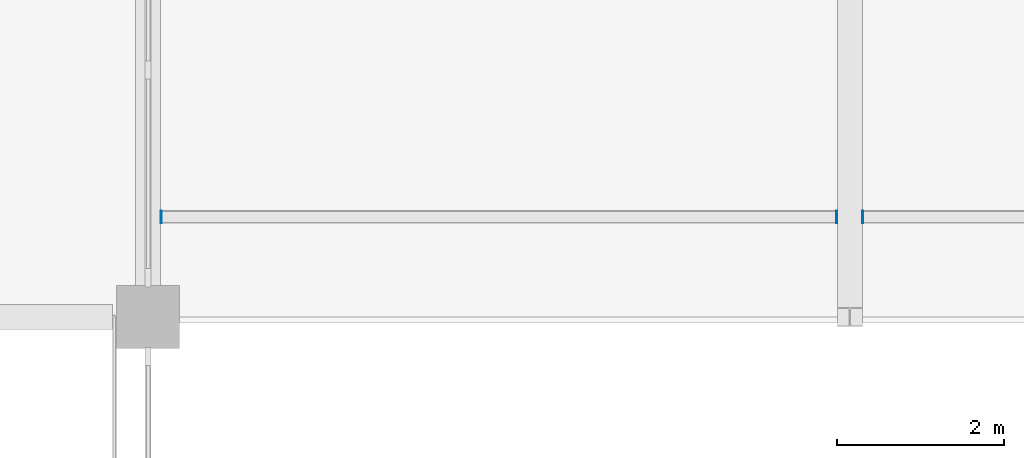
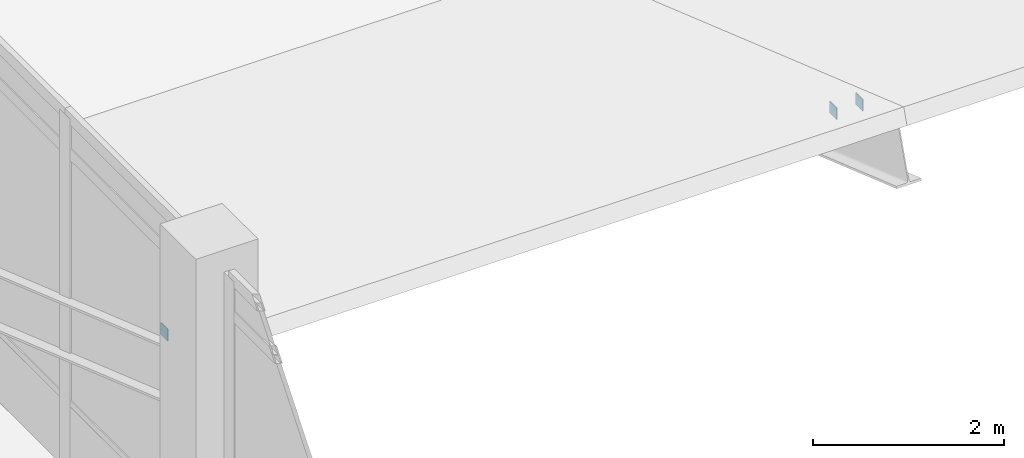
# One storey, part 97 of 110: 3 discrete accessories.
"""IFC4 building model written with IfcOpenShell, lengths in metres."""

from ifc_helpers import new_model, si_unit, direction, frame, origin, origin_2d, place, context, subcontext, project, spatial, rectangle, extrude, material, type_object, element, save


model = new_model("IFC4")

# Units and contexts
model_context = context("Model", 3, precision=1e-05, world=origin(), true_north=direction((0.0, 1.0)))
body_context = subcontext(model_context, "Body", "Model", "MODEL_VIEW")
ifc_project = project(units=[si_unit("LENGTHUNIT", "METRE"), si_unit("AREAUNIT", "SQUARE_METRE"), si_unit("VOLUMEUNIT", "CUBIC_METRE"), si_unit("PLANEANGLEUNIT", "RADIAN"), si_unit("MASSUNIT", "GRAM", prefix="KILO")], contexts=[model_context])

# Site, building, storey
site_placement = place(None, origin())
site = spatial("IfcSite", under=ifc_project, at=site_placement, CompositionType="ELEMENT")
building_placement = place(site_placement, origin())
building = spatial("IfcBuilding", under=site, at=building_placement, Name="Qawsi Khor Wholesale Market", CompositionType="ELEMENT")
storey_placement = place(building_placement, frame((0.0, 0.0, 11.39990234375)))
storey = spatial("IfcBuildingStorey", under=building, at=storey_placement, Name="L02", CompositionType="ELEMENT", Elevation=11.39990234375)

# Discrete accessories
ifc_material = material(Name="Steel S355", Category="steel")
discrete_accessory_type = type_object("IfcDiscreteAccessoryType", Name="Purlin End Cleat Plate 12 S355", PredefinedType="BRACKET", material=ifc_material)
for number, where, z_axis, x_axis, name in (
    (1, (75.756103515625, 93.60009765625, 2.658447265625), (0.0, 0.0, 1.0), (1.0, 0.0, 0.0), "Auction roof purlin 10-1 end cleat W"),
    (2, (83.843994140625, 93.60009765625, 2.658447265625), (0.0, 0.0, 1.0), (1.0, 0.0, 0.0), "Auction roof purlin 10-1 end cleat E"),
    (3, (84.156005859375, 93.60009765625, 2.658447265625), (0.0, 0.0, 1.0), (1.0, 0.0, 0.0), "Auction roof purlin 11-1 end cleat W"),
):
    element("IfcDiscreteAccessory", number, at=place(storey_placement, frame(where, z_axis=z_axis, x_axis=x_axis)), inside=storey, type_object=discrete_accessory_type, Name=name, PredefinedType="BRACKET", context=body_context, shape_type="SweptSolid", body=[
        extrude(rectangle(XDim=0.011962890625, YDim=0.14990234375, at=origin_2d()), origin(), (0.0, 0.0, 1.0), 0.14990234375),
    ])

save(model, "model.ifc")
